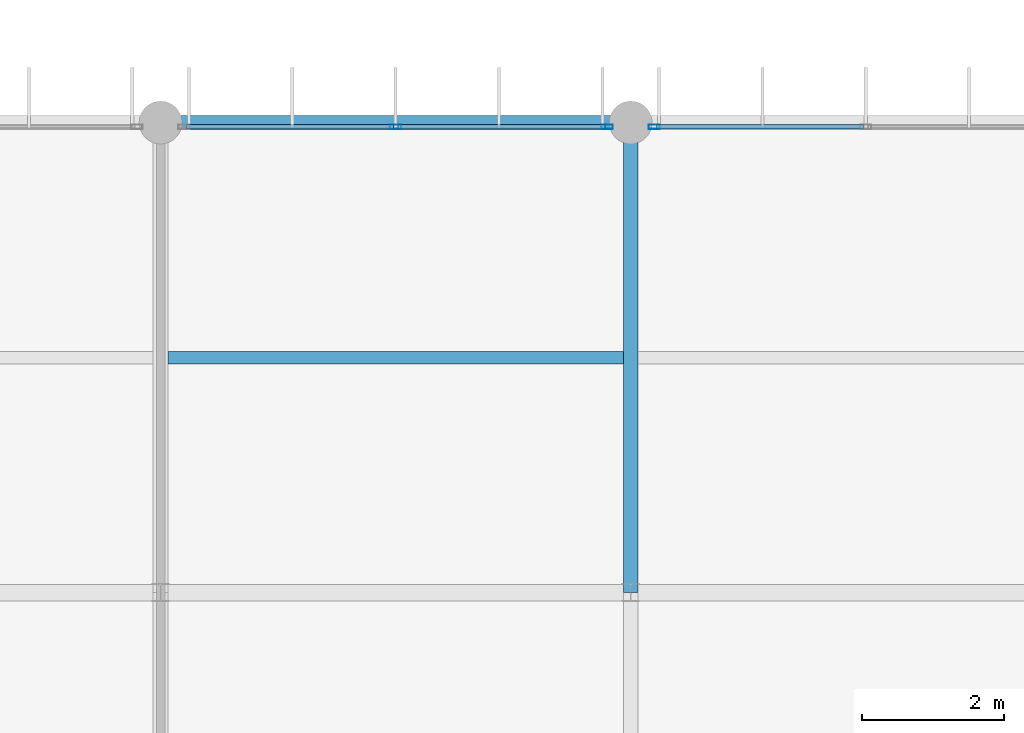
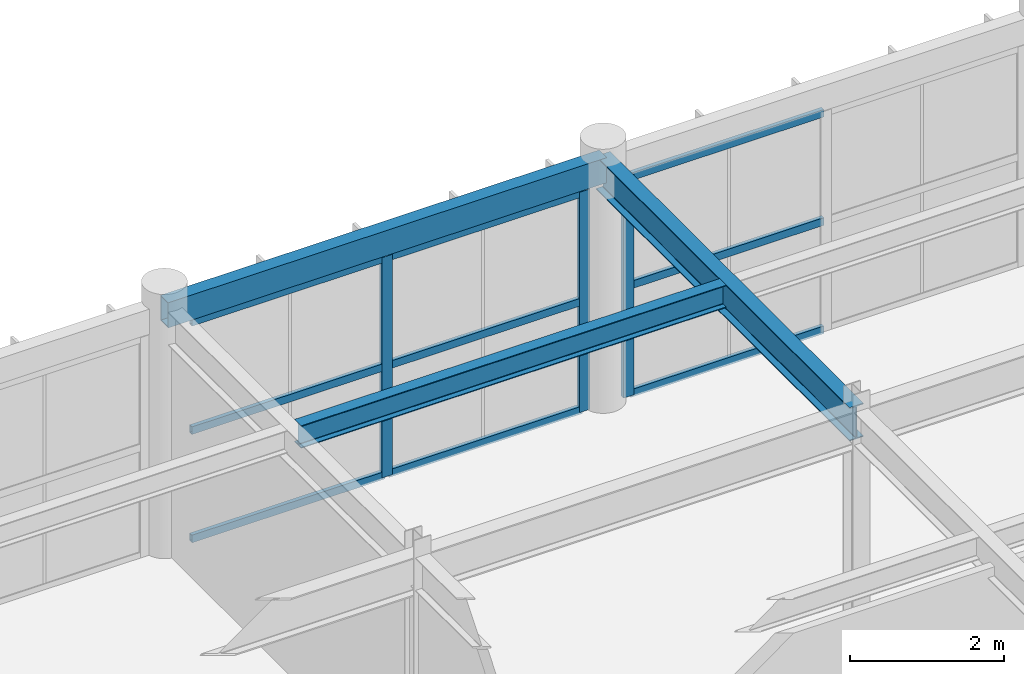
# One storey, part 20 of 66: 12 members, 3 beams, 2 elements without a shape of their own.
"""IFC4 building model written with IfcOpenShell, lengths in metres."""

from ifc_helpers import new_model, si_unit, direction, frame, origin, origin_2d, place, context, subcontext, project, spatial, hollow_rectangle, i_section, extrude, material, material_profile, profile_set, type_object, element, aggregate, save


model = new_model("IFC4")

# Units and contexts
model_context = context("Model", 3, precision=1e-05, world=origin(), true_north=direction((0.0, 1.0)))
body_context = subcontext(model_context, "Body", "Model", "MODEL_VIEW")
ifc_project = project(units=[si_unit("LENGTHUNIT", "METRE"), si_unit("AREAUNIT", "SQUARE_METRE"), si_unit("VOLUMEUNIT", "CUBIC_METRE"), si_unit("PLANEANGLEUNIT", "RADIAN"), si_unit("MASSUNIT", "GRAM", prefix="KILO")], contexts=[model_context])

# Site, building, storey
site_placement = place(None, origin())
site = spatial("IfcSite", under=ifc_project, at=site_placement, CompositionType="ELEMENT")
building_placement = place(site_placement, origin())
building = spatial("IfcBuilding", under=site, at=building_placement, Name="Karori Crest Natural Sciences Institute", CompositionType="ELEMENT")
storey_placement = place(building_placement, frame((0.0, 0.0, 30.10009765625)))
storey = spatial("IfcBuildingStorey", under=building, at=storey_placement, Name="L07", CompositionType="ELEMENT", Elevation=30.10009765625)

# Beams
ifc_material_1 = material(Name="Structural steel AS/NZS 3679.1 Grade 350", Category="steel")
ifc_material_profile_1 = material_profile(ifc_material_1, i_section(OverallWidth=0.208984375, OverallDepth=0.532958984375, WebThickness=0.01025390625, FlangeThickness=0.015625, FilletRadius=0.013916015625, at=origin_2d()), Name="530UB92.4")
ifc_profile_set_1 = profile_set([ifc_material_profile_1], Name="Structural steel AS/NZS 3679.1 Grade 350")
beam_type_1 = type_object("IfcBeamType", Name="BT-05", PredefinedType="BEAM", material=ifc_profile_set_1)
beam_1_placement = place(storey_placement, frame((116.800048828125, 14.0, 3.6533203125), z_axis=(0.0, 1.0, 0.0), x_axis=(-1.0, 0.0, 0.0)))
element("IfcBeam", 1, at=beam_1_placement, inside=storey, type_object=beam_type_1, Name="Beam B-2656", PredefinedType="BEAM", context=body_context, shape_type="SweptSolid", body=[
    extrude(i_section(OverallWidth=0.208984375, OverallDepth=0.532958984375, WebThickness=0.01025390625, FlangeThickness=0.015625, FilletRadius=0.013916015625, at=origin_2d()), origin(), (0.0, 0.0, 1.0), 6.60009765625),
])
ifc_material_profile_2 = material_profile(ifc_material_1, i_section(OverallWidth=0.172119140625, OverallDepth=0.35888671875, WebThickness=0.008056640625, FlangeThickness=0.012939453125, FilletRadius=0.010986328125, at=origin_2d()), Name="360UB56.7")
ifc_profile_set_2 = profile_set([ifc_material_profile_2], Name="Structural steel AS/NZS 3679.1 Grade 350")
beam_type_2 = type_object("IfcBeamType", Name="BT-08", PredefinedType="BEAM", material=ifc_profile_set_2)
beam_2_placement = place(storey_placement, frame((110.304443359375, 17.300048828125, 3.740478515625), z_axis=(1.0, 0.0, 0.0), x_axis=(0.0, 1.0, 0.0)))
element("IfcBeam", 2, at=beam_2_placement, inside=storey, type_object=beam_type_2, Name="Beam B-2678", PredefinedType="BEAM", context=body_context, shape_type="SweptSolid", body=[
    extrude(i_section(OverallWidth=0.172119140625, OverallDepth=0.35888671875, WebThickness=0.008056640625, FlangeThickness=0.012939453125, FilletRadius=0.010986328125, at=origin_2d()), origin(), (0.0, 0.0, 1.0), 6.39111328125),
])
ifc_material_2 = material(Name="Hollow structural steel AS/NZS 1163 Grade C350", Category="steel")
ifc_material_profile_3 = material_profile(ifc_material_2, hollow_rectangle(XDim=0.199951171875, YDim=0.39990234375, WallThickness=0.012451171875, at=origin_2d()), Name="RHS400x200x12.5")
ifc_profile_set_3 = profile_set([ifc_material_profile_3], Name="Hollow structural steel AS/NZS 1163 Grade C350")
beam_type_3 = type_object("IfcBeamType", Name="BT-14", PredefinedType="SPANDREL", material=ifc_profile_set_3)
beam_3_placement = place(storey_placement, frame((110.199951171875, 20.60009765625, 3.719970703125), z_axis=(1.0, 0.0, 0.0), x_axis=(0.0, 1.0, 0.0)))
element("IfcBeam", 3, at=beam_3_placement, inside=storey, type_object=beam_type_3, Name="Beam B-2641", PredefinedType="SPANDREL", context=body_context, shape_type="SweptSolid", body=[
    extrude(hollow_rectangle(XDim=0.199951171875, YDim=0.39990234375, WallThickness=0.012451171875, at=origin_2d()), origin(), (0.0, 0.0, 1.0), 6.60009765625),
])

# Curtain wall, members
ifc_material_3 = material(Name="Anodised architectural aluminium 6063-T6", Category="aluminium")
curtain_wall_type = type_object("IfcCurtainWallType", Name="CWT-20", PredefinedType="NOTDEFINED", material=ifc_material_3)
curtain_wall_1_placement = place(storey_placement, origin())
curtain_wall_1 = element("IfcCurtainWall", 4, at=curtain_wall_1_placement, inside=storey, type_object=curtain_wall_type, Name="Curtain wall CW-0358", PredefinedType="NOTDEFINED")
ifc_material_profile_4 = material_profile(ifc_material_3, hollow_rectangle(XDim=0.06494140625, YDim=0.159912109375, WallThickness=0.00390625, at=origin_2d()), Name="CWM160x65x4")
ifc_profile_set_4 = profile_set([ifc_material_profile_4], Name="Anodised architectural aluminium 6063-T6")
member_type_1 = type_object("IfcMemberType", Name="CWM-01", PredefinedType="MULLION", material=ifc_profile_set_4)
member_1_placement = place(storey_placement, frame((113.5, 20.5400390625, 0.0), z_axis=(0.0, 0.0, 1.0), x_axis=(0.0, 1.0, 0.0)))
member_1 = element("IfcMember", 5, at=member_1_placement, type_object=member_type_1, Name="CW-0358 mullion 2", PredefinedType="MULLION", context=body_context, shape_type="SweptSolid", body=[
    extrude(hollow_rectangle(XDim=0.06494140625, YDim=0.159912109375, WallThickness=0.00390625, at=origin_2d()), origin(), (0.0, 0.0, 1.0), 3.5048828125),
])
member_2_placement = place(storey_placement, frame((116.469482421875, 20.5400390625, 0.0), z_axis=(0.0, 0.0, 1.0), x_axis=(0.0, 1.0, 0.0)))
member_2 = element("IfcMember", 6, at=member_2_placement, type_object=member_type_1, Name="CW-0358 mullion 3", PredefinedType="MULLION", context=body_context, shape_type="SweptSolid", body=[
    extrude(hollow_rectangle(XDim=0.06494140625, YDim=0.159912109375, WallThickness=0.00390625, at=origin_2d()), origin(), (0.0, 0.0, 1.0), 3.5048828125),
])

# Curtain wall, member
curtain_wall_2_placement = place(storey_placement, origin())
curtain_wall_2 = element("IfcCurtainWall", 7, at=curtain_wall_2_placement, inside=storey, type_object=curtain_wall_type, Name="Curtain wall CW-0359", PredefinedType="NOTDEFINED")
member_3_placement = place(storey_placement, frame((117.130615234375, 20.5400390625, 0.0), z_axis=(0.0, 0.0, 1.0), x_axis=(0.0, 1.0, 0.0)))
member_3 = element("IfcMember", 8, at=member_3_placement, type_object=member_type_1, Name="CW-0359 mullion 1", PredefinedType="MULLION", context=body_context, shape_type="SweptSolid", body=[
    extrude(hollow_rectangle(XDim=0.06494140625, YDim=0.159912109375, WallThickness=0.00390625, at=origin_2d()), origin(), (0.0, 0.0, 1.0), 3.5048828125),
])

# Member
ifc_material_profile_5 = material_profile(ifc_material_3, hollow_rectangle(XDim=0.06005859375, YDim=0.1201171875, WallThickness=0.00390625, at=origin_2d()), Name="CWT120x60x4")
ifc_profile_set_5 = profile_set([ifc_material_profile_5], Name="Anodised architectural aluminium 6063-T6")
member_type_2 = type_object("IfcMemberType", Name="CWT-TR1", PredefinedType="USERDEFINED", material=ifc_profile_set_5)
member_4_placement = place(storey_placement, frame((110.56298828125, 20.5400390625, 0.02978515625), z_axis=(1.0, 0.0, 0.0), x_axis=(0.0, 1.0, 0.0)))
member_4 = element("IfcMember", 9, at=member_4_placement, type_object=member_type_2, Name="CW-0358 transom 1.1", ObjectType="TRANSOM", PredefinedType="USERDEFINED", context=body_context, shape_type="SweptSolid", body=[
    extrude(hollow_rectangle(XDim=0.06005859375, YDim=0.1201171875, WallThickness=0.00390625, at=origin_2d()), origin(), (0.0, 0.0, 1.0), 2.904541015625),
])

member_5_placement = place(storey_placement, frame((110.56298828125, 20.5400390625, 1.75244140625), z_axis=(1.0, 0.0, 0.0), x_axis=(0.0, 1.0, 0.0)))
member_5 = element("IfcMember", 10, at=member_5_placement, type_object=member_type_2, Name="CW-0358 transom 1.2", ObjectType="TRANSOM", PredefinedType="USERDEFINED", context=body_context, shape_type="SweptSolid", body=[
    extrude(hollow_rectangle(XDim=0.06005859375, YDim=0.1201171875, WallThickness=0.00390625, at=origin_2d()), origin(), (0.0, 0.0, 1.0), 2.904541015625),
])

member_6_placement = place(storey_placement, frame((110.56298828125, 20.5400390625, 3.474853515625), z_axis=(1.0, 0.0, 0.0), x_axis=(0.0, 1.0, 0.0)))
member_6 = element("IfcMember", 11, at=member_6_placement, type_object=member_type_2, Name="CW-0358 transom 1.3", ObjectType="TRANSOM", PredefinedType="USERDEFINED", context=body_context, shape_type="SweptSolid", body=[
    extrude(hollow_rectangle(XDim=0.06005859375, YDim=0.1201171875, WallThickness=0.00390625, at=origin_2d()), origin(), (0.0, 0.0, 1.0), 2.904541015625),
])

member_7_placement = place(storey_placement, frame((113.532470703125, 20.5400390625, 0.02978515625), z_axis=(1.0, 0.0, 0.0), x_axis=(0.0, 1.0, 0.0)))
member_7 = element("IfcMember", 12, at=member_7_placement, type_object=member_type_2, Name="CW-0358 transom 2.1", ObjectType="TRANSOM", PredefinedType="USERDEFINED", context=body_context, shape_type="SweptSolid", body=[
    extrude(hollow_rectangle(XDim=0.06005859375, YDim=0.1201171875, WallThickness=0.00390625, at=origin_2d()), origin(), (0.0, 0.0, 1.0), 2.904541015625),
])

member_8_placement = place(storey_placement, frame((113.532470703125, 20.5400390625, 1.75244140625), z_axis=(1.0, 0.0, 0.0), x_axis=(0.0, 1.0, 0.0)))
member_8 = element("IfcMember", 13, at=member_8_placement, type_object=member_type_2, Name="CW-0358 transom 2.2", ObjectType="TRANSOM", PredefinedType="USERDEFINED", context=body_context, shape_type="SweptSolid", body=[
    extrude(hollow_rectangle(XDim=0.06005859375, YDim=0.1201171875, WallThickness=0.00390625, at=origin_2d()), origin(), (0.0, 0.0, 1.0), 2.904541015625),
])

member_9_placement = place(storey_placement, frame((113.532470703125, 20.5400390625, 3.474853515625), z_axis=(1.0, 0.0, 0.0), x_axis=(0.0, 1.0, 0.0)))
member_9 = element("IfcMember", 14, at=member_9_placement, type_object=member_type_2, Name="CW-0358 transom 2.3", ObjectType="TRANSOM", PredefinedType="USERDEFINED", context=body_context, shape_type="SweptSolid", body=[
    extrude(hollow_rectangle(XDim=0.06005859375, YDim=0.1201171875, WallThickness=0.00390625, at=origin_2d()), origin(), (0.0, 0.0, 1.0), 2.904541015625),
])

aggregate(curtain_wall_1, [member_1, member_2, member_4, member_5, member_6, member_7, member_8, member_9])

member_10_placement = place(storey_placement, frame((117.1630859375, 20.5400390625, 0.02978515625), z_axis=(1.0, 0.0, 0.0), x_axis=(0.0, 1.0, 0.0)))
member_10 = element("IfcMember", 15, at=member_10_placement, type_object=member_type_2, Name="CW-0359 transom 1.1", ObjectType="TRANSOM", PredefinedType="USERDEFINED", context=body_context, shape_type="SweptSolid", body=[
    extrude(hollow_rectangle(XDim=0.06005859375, YDim=0.1201171875, WallThickness=0.00390625, at=origin_2d()), origin(), (0.0, 0.0, 1.0), 2.904296875),
])

member_11_placement = place(storey_placement, frame((117.1630859375, 20.5400390625, 1.75244140625), z_axis=(1.0, 0.0, 0.0), x_axis=(0.0, 1.0, 0.0)))
member_11 = element("IfcMember", 16, at=member_11_placement, type_object=member_type_2, Name="CW-0359 transom 1.2", ObjectType="TRANSOM", PredefinedType="USERDEFINED", context=body_context, shape_type="SweptSolid", body=[
    extrude(hollow_rectangle(XDim=0.06005859375, YDim=0.1201171875, WallThickness=0.00390625, at=origin_2d()), origin(), (0.0, 0.0, 1.0), 2.904296875),
])

member_12_placement = place(storey_placement, frame((117.1630859375, 20.5400390625, 3.474853515625), z_axis=(1.0, 0.0, 0.0), x_axis=(0.0, 1.0, 0.0)))
member_12 = element("IfcMember", 17, at=member_12_placement, type_object=member_type_2, Name="CW-0359 transom 1.3", ObjectType="TRANSOM", PredefinedType="USERDEFINED", context=body_context, shape_type="SweptSolid", body=[
    extrude(hollow_rectangle(XDim=0.06005859375, YDim=0.1201171875, WallThickness=0.00390625, at=origin_2d()), origin(), (0.0, 0.0, 1.0), 2.904296875),
])

aggregate(curtain_wall_2, [member_3, member_10, member_11, member_12])

save(model, "model.ifc")
